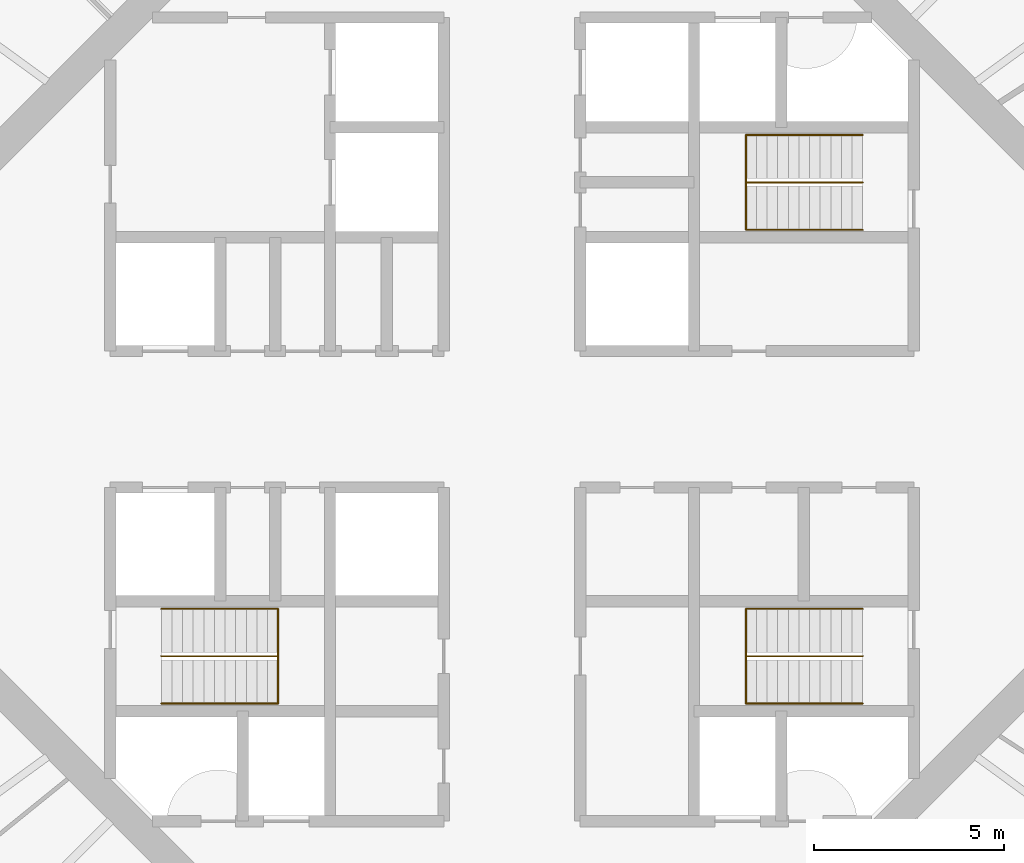
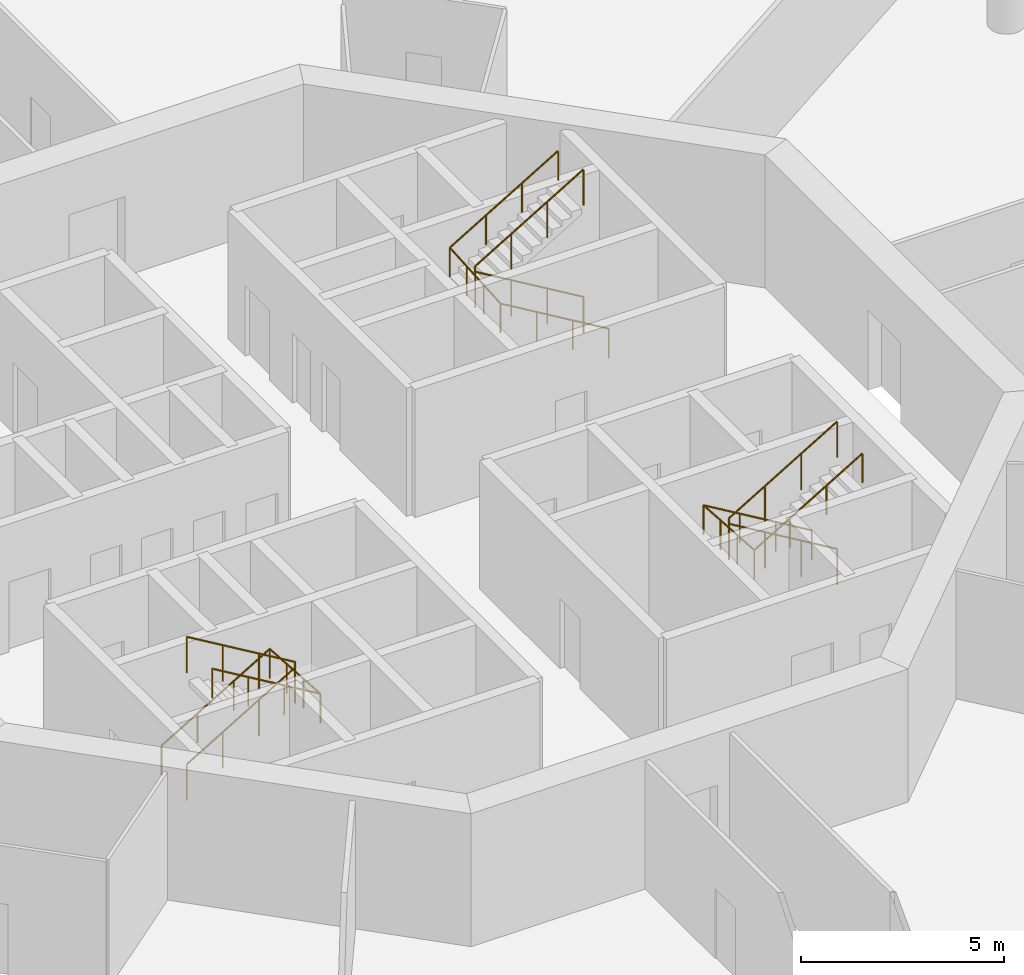
# One storey, part 17 of 17: 6 railings.
"""IFC4 building model written with IfcOpenShell, lengths in metres."""

from ifc_helpers import new_model, si_unit, direction, frame, origin, origin_2d, place, context, subcontext, project, spatial, circle, extrude, material, type_object, element, save


model = new_model("IFC4")

# Units and contexts
model_context = context("Model", 3, precision=1e-05, world=origin(), true_north=direction((0.0, 1.0)))
body_context = subcontext(model_context, "Body", "Model", "MODEL_VIEW")
ifc_project = project(units=[si_unit("LENGTHUNIT", "METRE"), si_unit("AREAUNIT", "SQUARE_METRE"), si_unit("VOLUMEUNIT", "CUBIC_METRE"), si_unit("PLANEANGLEUNIT", "RADIAN"), si_unit("MASSUNIT", "GRAM", prefix="KILO")], contexts=[model_context])

# Site, building, storey
site_placement = place(None, origin())
site = spatial("IfcSite", under=ifc_project, at=site_placement, CompositionType="ELEMENT")
building_placement = place(site_placement, origin())
building = spatial("IfcBuilding", under=site, at=building_placement, Name="Entoto Ring Tower", CompositionType="ELEMENT")
storey_placement = place(building_placement, frame((0.0, 0.0, 306.0)))
storey = spatial("IfcBuildingStorey", under=building, at=storey_placement, Name="L70", CompositionType="ELEMENT", Elevation=306.0)

# Railings
ifc_material_1 = material(Name="Steel S275", Category="steel")
railing_type_1 = type_object("IfcRailingType", Name="Stair guard 1100 mm steel", PredefinedType="GUARDRAIL", material=ifc_material_1)
railing_1_placement = place(storey_placement, frame((99.25, 86.25, 0.166748046875)))
element("IfcRailing", 1, at=railing_1_placement, inside=storey, type_object=railing_type_1, Name="Guard ST1", PredefinedType="GUARDRAIL", context=body_context, shape_type="SweptSolid", body=[
    extrude(circle(Radius=0.02392578125, at=origin_2d()), frame((0.0, 0.0, 1.076171875), z_axis=(-0.859308565015, 0.0, 0.511457515432), x_axis=(0.0, -1.0, 0.0)), (0.0, 0.0, 1.0), 3.58447265625),
    extrude(circle(Radius=0.02392578125, at=origin_2d()), frame((-3.080078125, 0.0, 2.9091796875), z_axis=(0.0, 0.0, 1.0), x_axis=(1.0, 0.0, 0.0)), (0.0, 0.0, 1.0), 0.166748046875),
    extrude(circle(Radius=0.02392578125, at=origin_2d()), frame((-3.080078125, 0.0, 3.076171875), z_axis=(0.859308565015, 0.0, 0.511457515432), x_axis=(0.0, 1.0, 0.0)), (0.0, 0.0, 1.0), 3.58447265625),
    extrude(circle(Radius=0.02099609375, at=origin_2d()), origin(), (0.0, 0.0, 1.0), 1.052001953125),
    extrude(circle(Radius=0.02099609375, at=origin_2d()), frame((-1.026611328125, 0.0, 0.611083984375)), (0.0, 0.0, 1.0), 1.052001953125),
    extrude(circle(Radius=0.02099609375, at=origin_2d()), frame((-2.053466796875, 0.0, 1.22216796875)), (0.0, 0.0, 1.0), 1.052001953125),
    extrude(circle(Radius=0.02099609375, at=origin_2d()), frame((-3.080078125, 0.0, 1.833251953125)), (0.0, 0.0, 1.0), 1.052001953125),
    extrude(circle(Radius=0.02099609375, at=origin_2d()), frame((-3.080078125, 0.0, 2.0)), (0.0, 0.0, 1.0), 1.052001953125),
    extrude(circle(Radius=0.02099609375, at=origin_2d()), frame((-2.053466796875, 0.0, 2.611083984375)), (0.0, 0.0, 1.0), 1.052001953125),
    extrude(circle(Radius=0.02099609375, at=origin_2d()), frame((-1.026611328125, 0.0, 3.22216796875)), (0.0, 0.0, 1.0), 1.052001953125),
    extrude(circle(Radius=0.02099609375, at=origin_2d()), frame((0.0, 0.0, 3.833251953125)), (0.0, 0.0, 1.0), 1.052001953125),
])
railing_2_placement = place(storey_placement, frame((80.75, 73.75, 0.166748046875)))
element("IfcRailing", 2, at=railing_2_placement, inside=storey, type_object=railing_type_1, Name="Guard ST2", PredefinedType="GUARDRAIL", context=body_context, shape_type="SweptSolid", body=[
    extrude(circle(Radius=0.02392578125, at=origin_2d()), frame((0.0, 0.0, 1.076171875), z_axis=(0.859308565015, 0.0, 0.511457515432), x_axis=(0.0, 1.0, 0.0)), (0.0, 0.0, 1.0), 3.58447265625),
    extrude(circle(Radius=0.02392578125, at=origin_2d()), frame((3.080078125, 0.0, 2.9091796875), z_axis=(0.0, 0.0, 1.0), x_axis=(1.0, 0.0, 0.0)), (0.0, 0.0, 1.0), 0.166748046875),
    extrude(circle(Radius=0.02392578125, at=origin_2d()), frame((3.080078125, 0.0, 3.076171875), z_axis=(-0.859308565015, 0.0, 0.511457515432), x_axis=(0.0, -1.0, 0.0)), (0.0, 0.0, 1.0), 3.58447265625),
    extrude(circle(Radius=0.02099609375, at=origin_2d()), origin(), (0.0, 0.0, 1.0), 1.052001953125),
    extrude(circle(Radius=0.02099609375, at=origin_2d()), frame((1.026611328125, 0.0, 0.611083984375)), (0.0, 0.0, 1.0), 1.052001953125),
    extrude(circle(Radius=0.02099609375, at=origin_2d()), frame((2.053466796875, 0.0, 1.22216796875)), (0.0, 0.0, 1.0), 1.052001953125),
    extrude(circle(Radius=0.02099609375, at=origin_2d()), frame((3.080078125, 0.0, 1.833251953125)), (0.0, 0.0, 1.0), 1.052001953125),
    extrude(circle(Radius=0.02099609375, at=origin_2d()), frame((3.080078125, 0.0, 2.0)), (0.0, 0.0, 1.0), 1.052001953125),
    extrude(circle(Radius=0.02099609375, at=origin_2d()), frame((2.053466796875, 0.0, 2.611083984375)), (0.0, 0.0, 1.0), 1.052001953125),
    extrude(circle(Radius=0.02099609375, at=origin_2d()), frame((1.026611328125, 0.0, 3.22216796875)), (0.0, 0.0, 1.0), 1.052001953125),
    extrude(circle(Radius=0.02099609375, at=origin_2d()), frame((0.0, 0.0, 3.833251953125)), (0.0, 0.0, 1.0), 1.052001953125),
])
railing_3_placement = place(storey_placement, frame((99.25, 73.75, 0.166748046875)))
element("IfcRailing", 3, at=railing_3_placement, inside=storey, type_object=railing_type_1, Name="Guard ST3", PredefinedType="GUARDRAIL", context=body_context, shape_type="SweptSolid", body=[
    extrude(circle(Radius=0.02392578125, at=origin_2d()), frame((0.0, 0.0, 1.076171875), z_axis=(-0.859308565015, 0.0, 0.511457515432), x_axis=(0.0, -1.0, 0.0)), (0.0, 0.0, 1.0), 3.58447265625),
    extrude(circle(Radius=0.02392578125, at=origin_2d()), frame((-3.080078125, 0.0, 2.9091796875), z_axis=(0.0, 0.0, 1.0), x_axis=(1.0, 0.0, 0.0)), (0.0, 0.0, 1.0), 0.166748046875),
    extrude(circle(Radius=0.02392578125, at=origin_2d()), frame((-3.080078125, 0.0, 3.076171875), z_axis=(0.859308565015, 0.0, 0.511457515432), x_axis=(0.0, 1.0, 0.0)), (0.0, 0.0, 1.0), 3.58447265625),
    extrude(circle(Radius=0.02099609375, at=origin_2d()), origin(), (0.0, 0.0, 1.0), 1.052001953125),
    extrude(circle(Radius=0.02099609375, at=origin_2d()), frame((-1.026611328125, 0.0, 0.611083984375)), (0.0, 0.0, 1.0), 1.052001953125),
    extrude(circle(Radius=0.02099609375, at=origin_2d()), frame((-2.053466796875, 0.0, 1.22216796875)), (0.0, 0.0, 1.0), 1.052001953125),
    extrude(circle(Radius=0.02099609375, at=origin_2d()), frame((-3.080078125, 0.0, 1.833251953125)), (0.0, 0.0, 1.0), 1.052001953125),
    extrude(circle(Radius=0.02099609375, at=origin_2d()), frame((-3.080078125, 0.0, 2.0)), (0.0, 0.0, 1.0), 1.052001953125),
    extrude(circle(Radius=0.02099609375, at=origin_2d()), frame((-2.053466796875, 0.0, 2.611083984375)), (0.0, 0.0, 1.0), 1.052001953125),
    extrude(circle(Radius=0.02099609375, at=origin_2d()), frame((-1.026611328125, 0.0, 3.22216796875)), (0.0, 0.0, 1.0), 1.052001953125),
    extrude(circle(Radius=0.02099609375, at=origin_2d()), frame((0.0, 0.0, 3.833251953125)), (0.0, 0.0, 1.0), 1.052001953125),
])
ifc_material_2 = material(Name="Steel S275", Category="steel")
railing_type_2 = type_object("IfcRailingType", Name="Stair handrail 900 mm steel", PredefinedType="HANDRAIL", material=ifc_material_2)
railing_4_placement = place(storey_placement, frame((99.25, 85.0, 0.166748046875)))
element("IfcRailing", 4, at=railing_4_placement, inside=storey, type_object=railing_type_2, Name="Handrail ST1", PredefinedType="HANDRAIL", context=body_context, shape_type="SweptSolid", body=[
    extrude(circle(Radius=0.02392578125, at=origin_2d()), frame((0.0, 0.0, 0.8759765625), z_axis=(-0.859308565015, 0.0, 0.511457515432), x_axis=(0.0, -1.0, 0.0)), (0.0, 0.0, 1.0), 3.58447265625),
    extrude(circle(Radius=0.02392578125, at=origin_2d()), frame((-3.080078125, 0.0, 2.708984375), z_axis=(0.0, 0.997783001586, 0.066551346688), x_axis=(-1.0, 0.0, 0.0)), (0.0, 0.0, 1.0), 2.505615234375),
    extrude(circle(Radius=0.02392578125, at=origin_2d()), frame((-3.080078125, 2.5, 2.8759765625), z_axis=(0.859308565015, 0.0, 0.511457515432), x_axis=(0.0, 1.0, 0.0)), (0.0, 0.0, 1.0), 3.58447265625),
    extrude(circle(Radius=0.02099609375, at=origin_2d()), origin(), (0.0, 0.0, 1.0), 0.851806640625),
    extrude(circle(Radius=0.02099609375, at=origin_2d()), frame((-1.026611328125, 0.0, 0.611083984375)), (0.0, 0.0, 1.0), 0.851806640625),
    extrude(circle(Radius=0.02099609375, at=origin_2d()), frame((-2.053466796875, 0.0, 1.22216796875)), (0.0, 0.0, 1.0), 0.851806640625),
    extrude(circle(Radius=0.02099609375, at=origin_2d()), frame((-3.080078125, 0.0, 1.833251953125)), (0.0, 0.0, 1.0), 0.851806640625),
    extrude(circle(Radius=0.02099609375, at=origin_2d()), frame((-3.080078125, 0.833251953125, 1.888916015625)), (0.0, 0.0, 1.0), 0.851806640625),
    extrude(circle(Radius=0.02099609375, at=origin_2d()), frame((-3.080078125, 1.666748046875, 1.9443359375)), (0.0, 0.0, 1.0), 0.851806640625),
    extrude(circle(Radius=0.02099609375, at=origin_2d()), frame((-3.080078125, 2.5, 2.0)), (0.0, 0.0, 1.0), 0.851806640625),
    extrude(circle(Radius=0.02099609375, at=origin_2d()), frame((-2.053466796875, 2.5, 2.611083984375)), (0.0, 0.0, 1.0), 0.851806640625),
    extrude(circle(Radius=0.02099609375, at=origin_2d()), frame((-1.026611328125, 2.5, 3.22216796875)), (0.0, 0.0, 1.0), 0.851806640625),
    extrude(circle(Radius=0.02099609375, at=origin_2d()), frame((0.0, 2.5, 3.833251953125)), (0.0, 0.0, 1.0), 0.851806640625),
])
railing_5_placement = place(storey_placement, frame((80.75, 75.0, 0.166748046875)))
element("IfcRailing", 5, at=railing_5_placement, inside=storey, type_object=railing_type_2, Name="Handrail ST2", PredefinedType="HANDRAIL", context=body_context, shape_type="SweptSolid", body=[
    extrude(circle(Radius=0.02392578125, at=origin_2d()), frame((0.0, 0.0, 0.8759765625), z_axis=(0.859308565015, 0.0, 0.511457515432), x_axis=(0.0, 1.0, 0.0)), (0.0, 0.0, 1.0), 3.58447265625),
    extrude(circle(Radius=0.02392578125, at=origin_2d()), frame((3.080078125, 0.0, 2.708984375), z_axis=(0.0, -0.997783001586, 0.066551346688), x_axis=(1.0, 0.0, 0.0)), (0.0, 0.0, 1.0), 2.505615234375),
    extrude(circle(Radius=0.02392578125, at=origin_2d()), frame((3.080078125, -2.5, 2.8759765625), z_axis=(-0.859308565015, 0.0, 0.511457515432), x_axis=(0.0, -1.0, 0.0)), (0.0, 0.0, 1.0), 3.58447265625),
    extrude(circle(Radius=0.02099609375, at=origin_2d()), origin(), (0.0, 0.0, 1.0), 0.851806640625),
    extrude(circle(Radius=0.02099609375, at=origin_2d()), frame((1.026611328125, 0.0, 0.611083984375)), (0.0, 0.0, 1.0), 0.851806640625),
    extrude(circle(Radius=0.02099609375, at=origin_2d()), frame((2.053466796875, 0.0, 1.22216796875)), (0.0, 0.0, 1.0), 0.851806640625),
    extrude(circle(Radius=0.02099609375, at=origin_2d()), frame((3.080078125, 0.0, 1.833251953125)), (0.0, 0.0, 1.0), 0.851806640625),
    extrude(circle(Radius=0.02099609375, at=origin_2d()), frame((3.080078125, -0.833251953125, 1.888916015625)), (0.0, 0.0, 1.0), 0.851806640625),
    extrude(circle(Radius=0.02099609375, at=origin_2d()), frame((3.080078125, -1.666748046875, 1.9443359375)), (0.0, 0.0, 1.0), 0.851806640625),
    extrude(circle(Radius=0.02099609375, at=origin_2d()), frame((3.080078125, -2.5, 2.0)), (0.0, 0.0, 1.0), 0.851806640625),
    extrude(circle(Radius=0.02099609375, at=origin_2d()), frame((2.053466796875, -2.5, 2.611083984375)), (0.0, 0.0, 1.0), 0.851806640625),
    extrude(circle(Radius=0.02099609375, at=origin_2d()), frame((1.026611328125, -2.5, 3.22216796875)), (0.0, 0.0, 1.0), 0.851806640625),
    extrude(circle(Radius=0.02099609375, at=origin_2d()), frame((0.0, -2.5, 3.833251953125)), (0.0, 0.0, 1.0), 0.851806640625),
])
railing_6_placement = place(storey_placement, frame((99.25, 75.0, 0.166748046875)))
element("IfcRailing", 6, at=railing_6_placement, inside=storey, type_object=railing_type_2, Name="Handrail ST3", PredefinedType="HANDRAIL", context=body_context, shape_type="SweptSolid", body=[
    extrude(circle(Radius=0.02392578125, at=origin_2d()), frame((0.0, 0.0, 0.8759765625), z_axis=(-0.859308565015, 0.0, 0.511457515432), x_axis=(0.0, -1.0, 0.0)), (0.0, 0.0, 1.0), 3.58447265625),
    extrude(circle(Radius=0.02392578125, at=origin_2d()), frame((-3.080078125, 0.0, 2.708984375), z_axis=(0.0, -0.997783001586, 0.066551346688), x_axis=(1.0, 0.0, 0.0)), (0.0, 0.0, 1.0), 2.505615234375),
    extrude(circle(Radius=0.02392578125, at=origin_2d()), frame((-3.080078125, -2.5, 2.8759765625), z_axis=(0.859308565015, 0.0, 0.511457515432), x_axis=(0.0, 1.0, 0.0)), (0.0, 0.0, 1.0), 3.58447265625),
    extrude(circle(Radius=0.02099609375, at=origin_2d()), origin(), (0.0, 0.0, 1.0), 0.851806640625),
    extrude(circle(Radius=0.02099609375, at=origin_2d()), frame((-1.026611328125, 0.0, 0.611083984375)), (0.0, 0.0, 1.0), 0.851806640625),
    extrude(circle(Radius=0.02099609375, at=origin_2d()), frame((-2.053466796875, 0.0, 1.22216796875)), (0.0, 0.0, 1.0), 0.851806640625),
    extrude(circle(Radius=0.02099609375, at=origin_2d()), frame((-3.080078125, 0.0, 1.833251953125)), (0.0, 0.0, 1.0), 0.851806640625),
    extrude(circle(Radius=0.02099609375, at=origin_2d()), frame((-3.080078125, -0.833251953125, 1.888916015625)), (0.0, 0.0, 1.0), 0.851806640625),
    extrude(circle(Radius=0.02099609375, at=origin_2d()), frame((-3.080078125, -1.666748046875, 1.9443359375)), (0.0, 0.0, 1.0), 0.851806640625),
    extrude(circle(Radius=0.02099609375, at=origin_2d()), frame((-3.080078125, -2.5, 2.0)), (0.0, 0.0, 1.0), 0.851806640625),
    extrude(circle(Radius=0.02099609375, at=origin_2d()), frame((-2.053466796875, -2.5, 2.611083984375)), (0.0, 0.0, 1.0), 0.851806640625),
    extrude(circle(Radius=0.02099609375, at=origin_2d()), frame((-1.026611328125, -2.5, 3.22216796875)), (0.0, 0.0, 1.0), 0.851806640625),
    extrude(circle(Radius=0.02099609375, at=origin_2d()), frame((0.0, -2.5, 3.833251953125)), (0.0, 0.0, 1.0), 0.851806640625),
])

save(model, "model.ifc")
